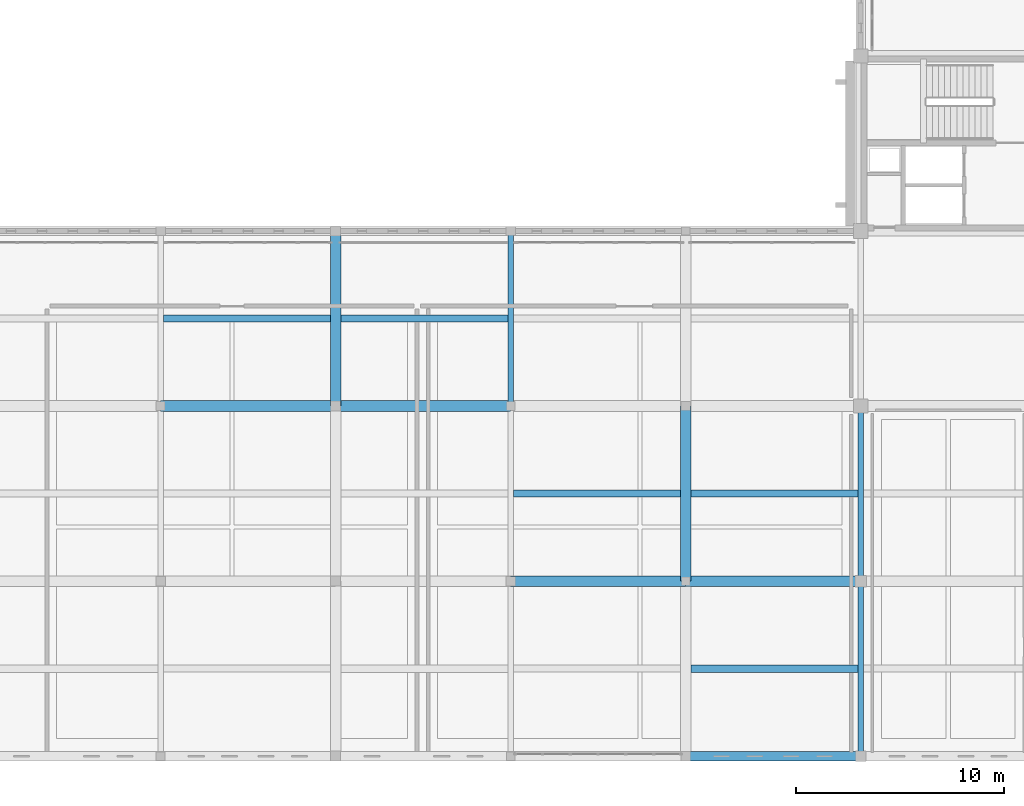
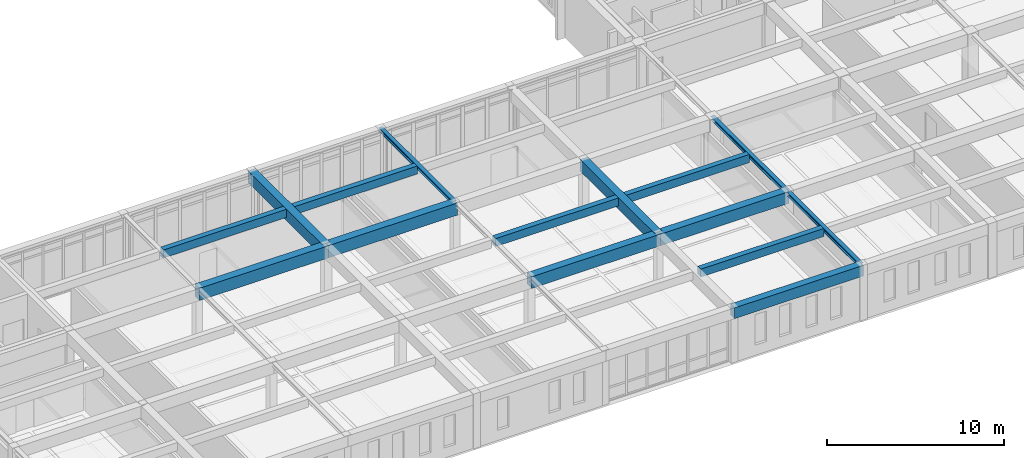
# One storey, part 17 of 110: 15 beams.
"""IFC4 building model written with IfcOpenShell, lengths in metres."""

from ifc_helpers import new_model, si_unit, direction, frame, origin, origin_2d, place, context, subcontext, project, spatial, rectangle, i_section, extrude, material, material_profile, profile_set, type_object, element, save


model = new_model("IFC4")

# Units and contexts
model_context = context("Model", 3, precision=1e-05, world=origin(), true_north=direction((0.0, 1.0)))
body_context = subcontext(model_context, "Body", "Model", "MODEL_VIEW")
ifc_project = project(units=[si_unit("LENGTHUNIT", "METRE"), si_unit("AREAUNIT", "SQUARE_METRE"), si_unit("VOLUMEUNIT", "CUBIC_METRE"), si_unit("PLANEANGLEUNIT", "RADIAN"), si_unit("MASSUNIT", "GRAM", prefix="KILO")], contexts=[model_context])

# Site, building, storey
site_placement = place(None, origin())
site = spatial("IfcSite", under=ifc_project, at=site_placement, CompositionType="ELEMENT")
building_placement = place(site_placement, origin())
building = spatial("IfcBuilding", under=site, at=building_placement, Name="Kveldsbrygga Polytechnic", CompositionType="ELEMENT")
storey_placement = place(building_placement, frame((0.0, 0.0, 9.860107421875)))
storey = spatial("IfcBuildingStorey", under=building, at=storey_placement, Name="L02", CompositionType="ELEMENT", Elevation=9.860107421875)

# Beams
ifc_material_1 = material(Name="Concrete C35/45", Category="concrete")
ifc_material_profile_1 = material_profile(ifc_material_1, rectangle(XDim=0.4599609375, YDim=0.739990234375, at=origin_2d()), Name="RC 460x740")
ifc_profile_set_1 = profile_set([ifc_material_profile_1], Name="Concrete C35/45")
beam_type_1 = type_object("IfcBeamType", Name="BM-RC-460x740", PredefinedType="BEAM", material=ifc_profile_set_1)
beam_1_placement = place(storey_placement, frame((117.60009765625, 0.0, 3.389892578125), z_axis=(1.0, 0.0, 0.0), x_axis=(0.0, 1.0, 0.0)))
element("IfcBeam", 1, at=beam_1_placement, inside=storey, type_object=beam_type_1, Name="Primary Beam BMX-L02-14to15-00", PredefinedType="BEAM", context=body_context, shape_type="SweptSolid", body=[
    extrude(rectangle(XDim=0.4599609375, YDim=0.739990234375, at=origin_2d()), origin(), (0.0, 0.0, 1.0), 8.39990234375),
])
ifc_material_profile_2 = material_profile(ifc_material_1, rectangle(XDim=0.5, YDim=0.800048828125, at=origin_2d()), Name="RC 500x800")
ifc_profile_set_2 = profile_set([ifc_material_profile_2], Name="Concrete C35/45")
beam_type_2 = type_object("IfcBeamType", Name="BM-RC-500x800", PredefinedType="BEAM", material=ifc_profile_set_2)
beam_2_placement = place(storey_placement, frame((109.199951171875, 8.39990234375, 3.35986328125), z_axis=(1.0, 0.0, 0.0), x_axis=(0.0, 1.0, 0.0)))
element("IfcBeam", 2, at=beam_2_placement, inside=storey, type_object=beam_type_2, Name="Primary Beam BMX-L02-13to14-01", PredefinedType="BEAM", context=body_context, shape_type="SweptSolid", body=[
    extrude(rectangle(XDim=0.5, YDim=0.800048828125, at=origin_2d()), origin(), (0.0, 0.0, 1.0), 8.400146484375),
])
for number, where, z_axis, x_axis, name in (
    (3, (117.60009765625, 8.39990234375, 3.35986328125), (1.0, 0.0, 0.0), (0.0, 1.0, 0.0), "Primary Beam BMX-L02-14to15-01"),
    (4, (100.800048828125, 16.800048828125, 3.35986328125), (0.0, 1.0, 0.0), (-1.0, 0.0, 0.0), "Primary Beam BMY-L02-12-02to03"),
):
    element("IfcBeam", number, at=place(storey_placement, frame(where, z_axis=z_axis, x_axis=x_axis)), inside=storey, type_object=beam_type_2, Name=name, PredefinedType="BEAM", context=body_context, shape_type="SweptSolid", body=[
        extrude(rectangle(XDim=0.5, YDim=0.800048828125, at=origin_2d()), origin(), (0.0, 0.0, 1.0), 8.39990234375),
    ])
beam_3_placement = place(storey_placement, frame((117.60009765625, 8.39990234375, 3.35986328125), z_axis=(0.0, 1.0, 0.0), x_axis=(-1.0, 0.0, 0.0)))
element("IfcBeam", 5, at=beam_3_placement, inside=storey, type_object=beam_type_2, Name="Primary Beam BMY-L02-14-01to02", PredefinedType="BEAM", context=body_context, shape_type="SweptSolid", body=[
    extrude(rectangle(XDim=0.5, YDim=0.800048828125, at=origin_2d()), origin(), (0.0, 0.0, 1.0), 8.400146484375),
])
ifc_material_profile_3 = material_profile(ifc_material_1, rectangle(XDim=0.52001953125, YDim=0.840087890625, at=origin_2d()), Name="RC 520x840")
ifc_profile_set_3 = profile_set([ifc_material_profile_3], Name="Concrete C35/45")
beam_type_3 = type_object("IfcBeamType", Name="BM-RC-520x840", PredefinedType="BEAM", material=ifc_profile_set_3)
beam_4_placement = place(storey_placement, frame((92.39990234375, 16.800048828125, 3.33984375), z_axis=(1.0, 0.0, 0.0), x_axis=(0.0, 1.0, 0.0)))
element("IfcBeam", 6, at=beam_4_placement, inside=storey, type_object=beam_type_3, Name="Primary Beam BMX-L02-11to12-02", PredefinedType="BEAM", context=body_context, shape_type="SweptSolid", body=[
    extrude(rectangle(XDim=0.52001953125, YDim=0.840087890625, at=origin_2d()), origin(), (0.0, 0.0, 1.0), 8.400146484375),
])
beam_5_placement = place(storey_placement, frame((100.800048828125, 16.800048828125, 3.33984375), z_axis=(1.0, 0.0, 0.0), x_axis=(0.0, 1.0, 0.0)))
element("IfcBeam", 7, at=beam_5_placement, inside=storey, type_object=beam_type_3, Name="Primary Beam BMX-L02-12to13-02", PredefinedType="BEAM", context=body_context, shape_type="SweptSolid", body=[
    extrude(rectangle(XDim=0.52001953125, YDim=0.840087890625, at=origin_2d()), origin(), (0.0, 0.0, 1.0), 8.39990234375),
])
ifc_material_2 = material(Name="Steel S355", Category="steel")
ifc_material_profile_4 = material_profile(ifc_material_2, i_section(OverallWidth=0.260009765625, OverallDepth=0.260009765625, WebThickness=0.010009765625, FlangeThickness=0.017578125, FilletRadius=0.02392578125, at=origin_2d()), Name="HEB 260")
ifc_profile_set_4 = profile_set([ifc_material_profile_4], Name="Steel S355")
beam_type_4 = type_object("IfcBeamType", Name="BM-STL-HEB260", PredefinedType="BEAM", material=ifc_profile_set_4)
for number, where, z_axis, x_axis, name in (
    (8, (109.199951171875, 16.800048828125, 3.6298828125), (0.0, 1.0, 0.0), (-1.0, 0.0, 0.0), "Primary Beam BMY-L02-13-02to03"),
    (9, (126.0, 0.0, 3.619873046875), (0.0, 1.0, 0.0), (-1.0, 0.0, 0.0), "Primary Beam BMY-L02-15-00to01"),
):
    element("IfcBeam", number, at=place(storey_placement, frame(where, z_axis=z_axis, x_axis=x_axis)), inside=storey, type_object=beam_type_4, Name=name, PredefinedType="BEAM", context=body_context, shape_type="SweptSolid", body=[
        extrude(i_section(OverallWidth=0.260009765625, OverallDepth=0.260009765625, WebThickness=0.010009765625, FlangeThickness=0.017578125, FilletRadius=0.02392578125, at=origin_2d()), origin(), (0.0, 0.0, 1.0), 8.39990234375),
    ])
beam_6_placement = place(storey_placement, frame((126.0, 8.39990234375, 3.619873046875), z_axis=(0.0, 1.0, 0.0), x_axis=(-1.0, 0.0, 0.0)))
element("IfcBeam", 10, at=beam_6_placement, inside=storey, type_object=beam_type_4, Name="Primary Beam BMY-L02-15-01to02", PredefinedType="BEAM", context=body_context, shape_type="SweptSolid", body=[
    extrude(i_section(OverallWidth=0.260009765625, OverallDepth=0.260009765625, WebThickness=0.010009765625, FlangeThickness=0.017578125, FilletRadius=0.02392578125, at=origin_2d()), origin(), (0.0, 0.0, 1.0), 8.400146484375),
])
ifc_material_profile_5 = material_profile(ifc_material_1, rectangle(XDim=0.340087890625, YDim=0.56005859375, at=origin_2d()), Name="RC 340x560")
ifc_profile_set_5 = profile_set([ifc_material_profile_5], Name="Concrete C35/45")
beam_type_5 = type_object("IfcBeamType", Name="JST-RC-340x560", PredefinedType="JOIST", material=ifc_profile_set_5)
for number, where, z_axis, x_axis, name in (
    (11, (92.530029296875, 21.0, 3.47998046875), (1.0, 0.0, 0.0), (0.0, 1.0, 0.0), "Secondary Joist JST-L02-11-02"),
    (12, (117.85009765625, 12.60009765625, 3.47998046875), (1.0, 0.0, 0.0), (0.0, 1.0, 0.0), "Secondary Joist JST-L02-14-01"),
):
    element("IfcBeam", number, at=place(storey_placement, frame(where, z_axis=z_axis, x_axis=x_axis)), inside=storey, type_object=beam_type_5, Name=name, PredefinedType="JOIST", context=body_context, shape_type="SweptSolid", body=[
        extrude(rectangle(XDim=0.340087890625, YDim=0.56005859375, at=origin_2d()), origin(), (0.0, 0.0, 1.0), 8.02001953125),
    ])
ifc_material_profile_6 = material_profile(ifc_material_1, rectangle(XDim=0.35009765625, YDim=0.550048828125, at=origin_2d()), Name="RC 350x550")
ifc_profile_set_6 = profile_set([ifc_material_profile_6], Name="Concrete C35/45")
beam_type_6 = type_object("IfcBeamType", Name="JST-RC-350x550", PredefinedType="JOIST", material=ifc_profile_set_6)
for number, where, z_axis, x_axis, name in (
    (13, (101.050048828125, 21.0, 3.48486328125), (1.0, 0.0, 0.0), (0.0, 1.0, 0.0), "Secondary Joist JST-L02-12-02"),
    (14, (109.330078125, 12.60009765625, 3.48486328125), (1.0, 0.0, 0.0), (0.0, 1.0, 0.0), "Secondary Joist JST-L02-13-01"),
    (15, (117.85009765625, 4.199951171875, 3.48486328125), (1.0, 0.0, 0.0), (0.0, 1.0, 0.0), "Secondary Joist JST-L02-14-00"),
):
    element("IfcBeam", number, at=place(storey_placement, frame(where, z_axis=z_axis, x_axis=x_axis)), inside=storey, type_object=beam_type_6, Name=name, PredefinedType="JOIST", context=body_context, shape_type="SweptSolid", body=[
        extrude(rectangle(XDim=0.35009765625, YDim=0.550048828125, at=origin_2d()), origin(), (0.0, 0.0, 1.0), 8.02001953125),
    ])

save(model, "model.ifc")
